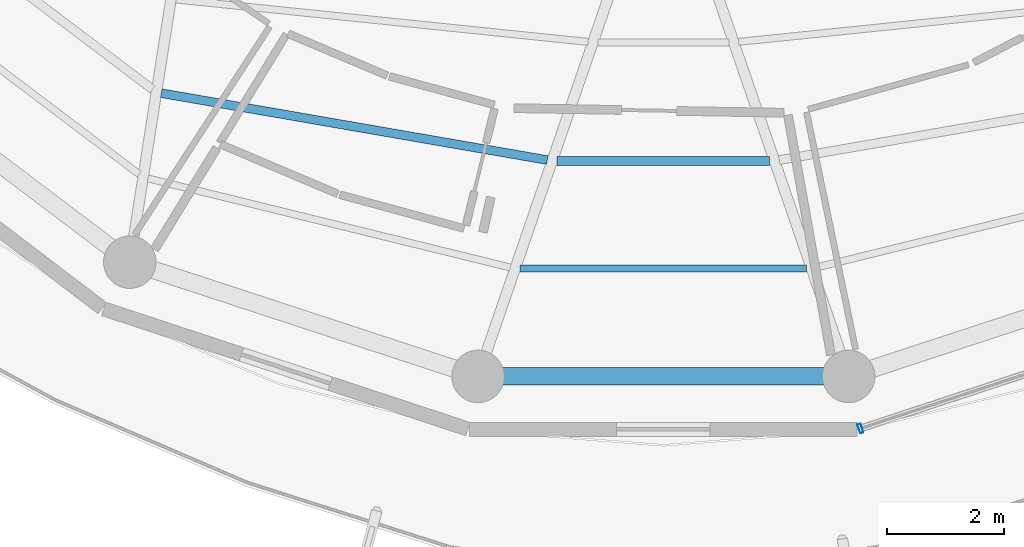
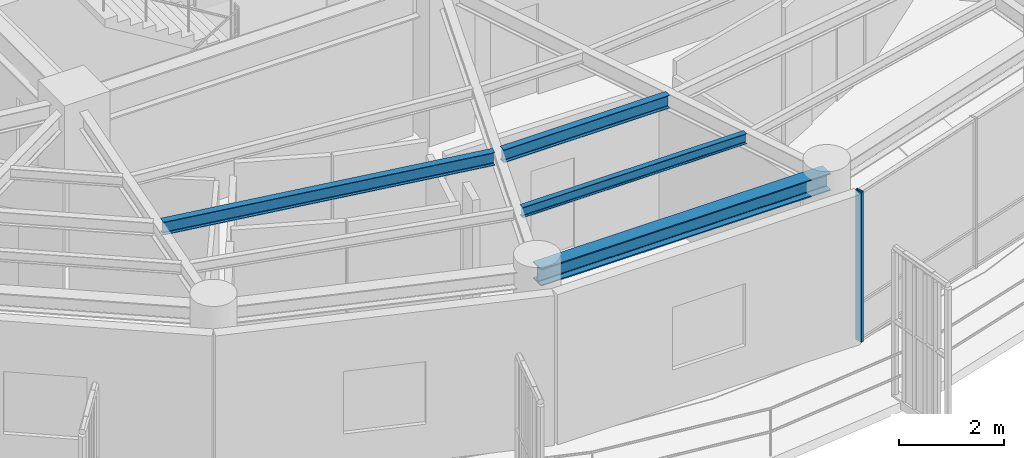
# One storey, part 3 of 23: 4 beams, 1 member, 1 element without a shape of its own.
"""IFC4 building model written with IfcOpenShell, lengths in metres."""

from ifc_helpers import new_model, si_unit, direction, frame, origin, origin_2d, place, context, subcontext, project, spatial, hollow_rectangle, i_section, extrude, material, layer, layer_set, material_profile, profile_set, type_object, element, aggregate, save


model = new_model("IFC4")

# Units and contexts
model_context = context("Model", 3, precision=1e-05, world=origin(), true_north=direction((0.0, 1.0)))
body_context = subcontext(model_context, "Body", "Model", "MODEL_VIEW")
ifc_project = project(units=[si_unit("LENGTHUNIT", "METRE"), si_unit("AREAUNIT", "SQUARE_METRE"), si_unit("VOLUMEUNIT", "CUBIC_METRE"), si_unit("PLANEANGLEUNIT", "RADIAN"), si_unit("MASSUNIT", "GRAM", prefix="KILO")], contexts=[model_context])

# Site, building, storey
site_placement = place(None, origin())
site = spatial("IfcSite", under=ifc_project, at=site_placement, CompositionType="ELEMENT")
building_placement = place(site_placement, origin())
building = spatial("IfcBuilding", under=site, at=building_placement, Name="Kelanora Arch Commons", CompositionType="ELEMENT")
storey_placement = place(building_placement, frame((0.0, 0.0, 256.199951171875)))
storey = spatial("IfcBuildingStorey", under=building, at=storey_placement, Name="L65", CompositionType="ELEMENT", Elevation=256.199951171875)

# Beams
ifc_material_1 = material(Name="Steel S355", Category="steel")
ifc_material_profile_1 = material_profile(ifc_material_1, i_section(OverallWidth=0.14990234375, OverallDepth=0.300048828125, WebThickness=0.007080078125, FlangeThickness=0.0107421875, FilletRadius=0.014892578125, at=origin_2d()), Name="IPE300")
ifc_profile_set_1 = profile_set([ifc_material_profile_1], Name="Steel S355")
beam_type_1 = type_object("IfcBeamType", Name="BM-JST-01", PredefinedType="JOIST", material=ifc_profile_set_1)
beam_1_placement = place(storey_placement, frame((65.39990234375, 46.622314453125, 3.340087890625), z_axis=(0.985321568263, -0.170708544357, 0.0), x_axis=(0.170708544357, 0.985321568263, 0.0)))
element("IfcBeam", 1, at=beam_1_placement, inside=storey, type_object=beam_type_1, Name="Secondary Chord Joist BJB-24 L65", PredefinedType="JOIST", context=body_context, shape_type="SweptSolid", body=[
    extrude(i_section(OverallWidth=0.14990234375, OverallDepth=0.300048828125, WebThickness=0.007080078125, FlangeThickness=0.0107421875, FilletRadius=0.014892578125, at=origin_2d()), origin(), (0.0, 0.0, 1.0), 6.710205078125),
])
beam_2_placement = place(storey_placement, frame((72.180419921875, 45.462158203125, 3.340087890625), z_axis=(1.0, 0.0, 0.0), x_axis=(0.0, 1.0, 0.0)))
element("IfcBeam", 2, at=beam_2_placement, inside=storey, type_object=beam_type_1, Name="Secondary Chord Joist BJB-26 L65", PredefinedType="JOIST", context=body_context, shape_type="SweptSolid", body=[
    extrude(i_section(OverallWidth=0.14990234375, OverallDepth=0.300048828125, WebThickness=0.007080078125, FlangeThickness=0.0107421875, FilletRadius=0.014892578125, at=origin_2d()), origin(), (0.0, 0.0, 1.0), 3.63916015625),
])
ifc_material_profile_2 = material_profile(ifc_material_1, i_section(OverallWidth=0.1201171875, OverallDepth=0.239990234375, WebThickness=0.006103515625, FlangeThickness=0.009765625, FilletRadius=0.014892578125, at=origin_2d()), Name="IPE240")
ifc_profile_set_2 = profile_set([ifc_material_profile_2], Name="Steel S355")
beam_type_2 = type_object("IfcBeamType", Name="BM-JST-02", PredefinedType="JOIST", material=ifc_profile_set_2)
beam_3_placement = place(storey_placement, frame((71.545654296875, 43.6162109375, 3.3701171875), z_axis=(1.0, 0.0, 0.0), x_axis=(0.0, 1.0, 0.0)))
element("IfcBeam", 3, at=beam_3_placement, inside=storey, type_object=beam_type_2, Name="Secondary Chord Joist BJC-26 L65", PredefinedType="JOIST", context=body_context, shape_type="SweptSolid", body=[
    extrude(i_section(OverallWidth=0.1201171875, OverallDepth=0.239990234375, WebThickness=0.006103515625, FlangeThickness=0.009765625, FilletRadius=0.014892578125, at=origin_2d()), origin(), (0.0, 0.0, 1.0), 4.90869140625),
])
ifc_material_profile_3 = material_profile(ifc_material_1, i_section(OverallWidth=0.300048828125, OverallDepth=0.39990234375, WebThickness=0.013427734375, FlangeThickness=0.02392578125, FilletRadius=0.027099609375, at=origin_2d()), Name="HEB400")
ifc_profile_set_3 = profile_set([ifc_material_profile_3], Name="Steel S355")
beam_type_3 = type_object("IfcBeamType", Name="BM-SPN-Z4", PredefinedType="SPANDREL", material=ifc_profile_set_3)
beam_4_placement = place(storey_placement, frame((70.82568359375, 41.7705078125, 3.2900390625), z_axis=(1.0, 0.0, 0.0), x_axis=(0.0, 1.0, 0.0)))
element("IfcBeam", 4, at=beam_4_placement, inside=storey, type_object=beam_type_3, Name="Perimeter Spandrel Beam BS-26 L65", PredefinedType="SPANDREL", context=body_context, shape_type="SweptSolid", body=[
    extrude(i_section(OverallWidth=0.300048828125, OverallDepth=0.39990234375, WebThickness=0.013427734375, FlangeThickness=0.02392578125, FilletRadius=0.027099609375, at=origin_2d()), origin(), (0.0, 0.0, 1.0), 6.3486328125),
])

# Curtain wall, member
ifc_material_2 = material(Name="Terracotta ceramic-fritted low-E glass and aluminium", Category="masonry")
ifc_layer = layer(ifc_material_2, 0.18994140625)
ifc_layer_set = layer_set([ifc_layer], Name="Terracotta ceramic-fritted low-E glass and aluminium")
curtain_wall_type = type_object("IfcCurtainWallType", Name="CW-SYS-03", PredefinedType="NOTDEFINED", material=ifc_layer_set)
curtain_wall_placement = place(storey_placement, origin())
curtain_wall = element("IfcCurtainWall", 5, at=curtain_wall_placement, inside=storey, type_object=curtain_wall_type, Name="Unitised Curtain Wall L65-B14", PredefinedType="NOTDEFINED")
ifc_material_3 = material(Name="Powder-coated aluminium terracotta", Category="masonry")
ifc_material_profile_4 = material_profile(ifc_material_3, hollow_rectangle(XDim=0.159912109375, YDim=0.06005859375, WallThickness=0.0048828125, InnerFilletRadius=0.0048828125, OuterFilletRadius=0.010009765625, at=origin_2d()), Name="CWM160x60")
ifc_profile_set_4 = profile_set([ifc_material_profile_4], Name="Powder-coated aluminium terracotta")
member_type = type_object("IfcMemberType", Name="CWM-STD", PredefinedType="MULLION", material=ifc_profile_set_4)
member_placement = place(storey_placement, frame((77.376708984375, 40.87841796875, 0.0), z_axis=(0.0, 0.0, 1.0), x_axis=(-0.313252785344, 0.949669780752, 0.0)))
member = element("IfcMember", 6, at=member_placement, type_object=member_type, Name="CW-03 mullion 1", PredefinedType="MULLION", context=body_context, shape_type="SweptSolid", body=[
    extrude(hollow_rectangle(XDim=0.159912109375, YDim=0.06005859375, WallThickness=0.0048828125, InnerFilletRadius=0.0048828125, OuterFilletRadius=0.010009765625, at=origin_2d()), origin(), (0.0, 0.0, 1.0), 3.47509765625),
])
aggregate(curtain_wall, [member])

save(model, "model.ifc")
